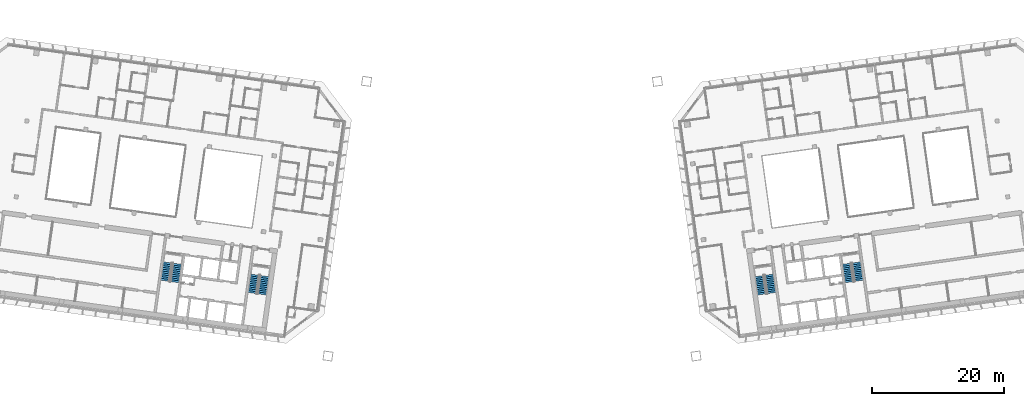
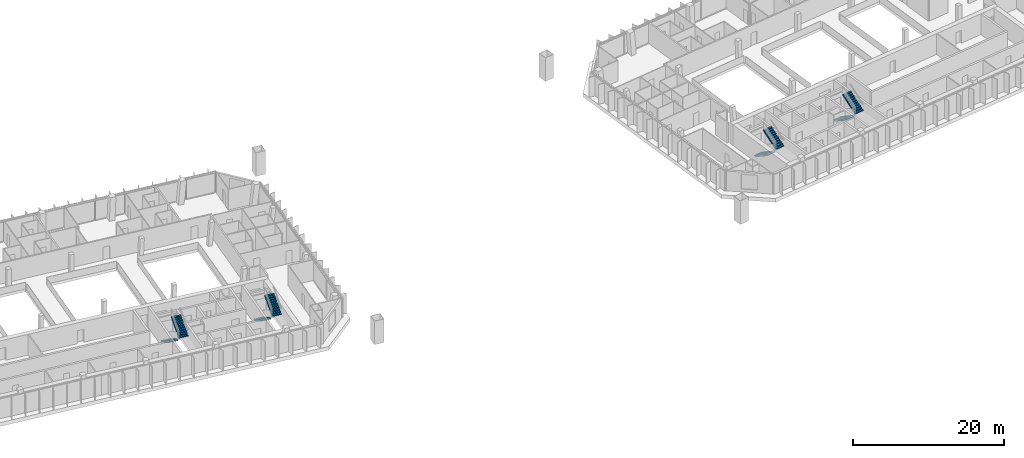
# One storey, part 21 of 23: 8 stair flights, 4 elements without a shape of their own.
"""IFC4 building model written with IfcOpenShell, lengths in metres."""

from ifc_helpers import new_model, si_unit, direction, frame, origin, place, context, subcontext, project, spatial, polyline, outline, extrude, material, type_object, element, aggregate, save


model = new_model("IFC4")

# Units and contexts
model_context = context("Model", 3, precision=1e-05, world=origin(), true_north=direction((0.0, 1.0)))
body_context = subcontext(model_context, "Body", "Model", "MODEL_VIEW")
ifc_project = project(units=[si_unit("LENGTHUNIT", "METRE"), si_unit("AREAUNIT", "SQUARE_METRE"), si_unit("VOLUMEUNIT", "CUBIC_METRE"), si_unit("PLANEANGLEUNIT", "RADIAN"), si_unit("MASSUNIT", "GRAM", prefix="KILO")], contexts=[model_context])

# Site, building, storey
site_placement = place(None, origin())
site = spatial("IfcSite", under=ifc_project, at=site_placement, CompositionType="ELEMENT")
building_placement = place(site_placement, origin())
building = spatial("IfcBuilding", under=site, at=building_placement, Name="Mirante Cascada Hotel Towers", CompositionType="ELEMENT")
storey_placement = place(building_placement, frame((0.0, 0.0, 199.2)))
storey = spatial("IfcBuildingStorey", under=building, at=storey_placement, Name="L47", CompositionType="ELEMENT", Elevation=199.2)

# Stair, stair flights
ifc_material_1 = material(Name="Concrete C35/45", Category="concrete")
stair_type = type_object("IfcStairType", Name="Exit stair half-turn 1350 concrete C35/45", PredefinedType="HALF_TURN_STAIR", material=ifc_material_1)
stair_1_placement = place(storey_placement, origin())
stair_1 = element("IfcStair", 1, at=stair_1_placement, inside=storey, type_object=stair_type, Name="L47 Exit stair A", PredefinedType="HALF_TURN_STAIR")
ifc_material_2 = material(Name="Concrete C35/45", Category="concrete")
stair_flight_type = type_object("IfcStairFlightType", Name="Exit stair flight 1350 concrete C35/45", PredefinedType="STRAIGHT", material=ifc_material_2)
stair_flight_1_placement = place(storey_placement, frame((-38.9417, -11.195, 0.0), z_axis=(0.0, 0.0, 1.0), x_axis=(-0.1391731, -0.9902681, 0.0)))
stair_flight_1 = element("IfcStairFlight", 2, at=stair_flight_1_placement, type_object=stair_flight_type, Name="ST1-A flight 1", NumberOfRisers=11, NumberOfTreads=10, PredefinedType="STRAIGHT", RiserHeight=0.172727273, TreadLength=0.28, context=body_context, shape_type="SweptSolid", body=[
    extrude(outline(polyline([(0.0, 0.0), (0.0, 0.1727), (0.28, 0.1727), (0.28, 0.3455), (0.56, 0.3455), (0.56, 0.5182), (0.84, 0.5182), (0.84, 0.6909), (1.12, 0.6909), (1.12, 0.8636), (1.4, 0.8636), (1.4, 1.0364), (1.68, 1.0364), (1.68, 1.2091), (1.96, 1.2091), (1.96, 1.3818), (2.24, 1.3818), (2.24, 1.5545), (2.52, 1.5545), (2.52, 1.7273), (2.8, 1.7273), (2.8, 1.9), (2.8, 1.551), (0.2857, 0.0), (0.0, 0.0)])), frame((0.0, 0.675, 0.0), z_axis=(0.0, -1.0, 0.0), x_axis=(1.0, 0.0, 0.0)), (0.0, 0.0, 1.0), 1.35),
])
stair_flight_2_placement = place(storey_placement, frame((-37.846, -14.1765, 1.9), z_axis=(0.0, 0.0, 1.0), x_axis=(0.1391731, 0.9902681, 0.0)))
stair_flight_2 = element("IfcStairFlight", 3, at=stair_flight_2_placement, type_object=stair_flight_type, Name="ST1-A flight 2", NumberOfRisers=11, NumberOfTreads=10, PredefinedType="STRAIGHT", RiserHeight=0.172727273, TreadLength=0.28, context=body_context, shape_type="SweptSolid", body=[
    extrude(outline(polyline([(0.0, 0.0), (0.0, 0.1727), (0.28, 0.1727), (0.28, 0.3455), (0.56, 0.3455), (0.56, 0.5182), (0.84, 0.5182), (0.84, 0.6909), (1.12, 0.6909), (1.12, 0.8636), (1.4, 0.8636), (1.4, 1.0364), (1.68, 1.0364), (1.68, 1.2091), (1.96, 1.2091), (1.96, 1.3818), (2.24, 1.3818), (2.24, 1.5545), (2.52, 1.5545), (2.52, 1.7273), (2.8, 1.7273), (2.8, 1.9), (2.8, 1.551), (0.2857, 0.0), (0.0, 0.0)])), frame((0.0, 0.675, 0.0), z_axis=(0.0, -1.0, 0.0), x_axis=(1.0, 0.0, 0.0)), (0.0, 0.0, 1.0), 1.35),
])
aggregate(stair_1, [stair_flight_1, stair_flight_2])

stair_2_placement = place(storey_placement, origin())
stair_2 = element("IfcStair", 4, at=stair_2_placement, inside=storey, type_object=stair_type, Name="L47 Exit stair B", PredefinedType="HALF_TURN_STAIR")
stair_flight_3_placement = place(storey_placement, frame((-52.1618, -9.3371, 0.0), z_axis=(0.0, 0.0, 1.0), x_axis=(-0.1391731, -0.9902681, 0.0)))
stair_flight_3 = element("IfcStairFlight", 5, at=stair_flight_3_placement, type_object=stair_flight_type, Name="ST1-B flight 1", NumberOfRisers=11, NumberOfTreads=10, PredefinedType="STRAIGHT", RiserHeight=0.172727273, TreadLength=0.28, context=body_context, shape_type="SweptSolid", body=[
    extrude(outline(polyline([(0.0, 0.0), (0.0, 0.1727), (0.28, 0.1727), (0.28, 0.3455), (0.56, 0.3455), (0.56, 0.5182), (0.84, 0.5182), (0.84, 0.6909), (1.12, 0.6909), (1.12, 0.8636), (1.4, 0.8636), (1.4, 1.0364), (1.68, 1.0364), (1.68, 1.2091), (1.96, 1.2091), (1.96, 1.3818), (2.24, 1.3818), (2.24, 1.5545), (2.52, 1.5545), (2.52, 1.7273), (2.8, 1.7273), (2.8, 1.9), (2.8, 1.551), (0.2857, 0.0), (0.0, 0.0)])), frame((0.0, 0.675, 0.0), z_axis=(0.0, -1.0, 0.0), x_axis=(1.0, 0.0, 0.0)), (0.0, 0.0, 1.0), 1.35),
])
stair_flight_4_placement = place(storey_placement, frame((-51.0661, -12.3186, 1.9), z_axis=(0.0, 0.0, 1.0), x_axis=(0.1391731, 0.9902681, 0.0)))
stair_flight_4 = element("IfcStairFlight", 6, at=stair_flight_4_placement, type_object=stair_flight_type, Name="ST1-B flight 2", NumberOfRisers=11, NumberOfTreads=10, PredefinedType="STRAIGHT", RiserHeight=0.172727273, TreadLength=0.28, context=body_context, shape_type="SweptSolid", body=[
    extrude(outline(polyline([(0.0, 0.0), (0.0, 0.1727), (0.28, 0.1727), (0.28, 0.3455), (0.56, 0.3455), (0.56, 0.5182), (0.84, 0.5182), (0.84, 0.6909), (1.12, 0.6909), (1.12, 0.8636), (1.4, 0.8636), (1.4, 1.0364), (1.68, 1.0364), (1.68, 1.2091), (1.96, 1.2091), (1.96, 1.3818), (2.24, 1.3818), (2.24, 1.5545), (2.52, 1.5545), (2.52, 1.7273), (2.8, 1.7273), (2.8, 1.9), (2.8, 1.551), (0.2857, 0.0), (0.0, 0.0)])), frame((0.0, 0.675, 0.0), z_axis=(0.0, -1.0, 0.0), x_axis=(1.0, 0.0, 0.0)), (0.0, 0.0, 1.0), 1.35),
])
aggregate(stair_2, [stair_flight_3, stair_flight_4])

stair_3_placement = place(storey_placement, origin())
stair_3 = element("IfcStair", 7, at=stair_3_placement, inside=storey, type_object=stair_type, Name="L47 Exit stair A", PredefinedType="HALF_TURN_STAIR")
stair_flight_5_placement = place(storey_placement, frame((37.4563, -11.4038, 0.0), z_axis=(0.0, 0.0, 1.0), x_axis=(0.1391731, -0.9902681, 0.0)))
stair_flight_5 = element("IfcStairFlight", 8, at=stair_flight_5_placement, type_object=stair_flight_type, Name="ST2-A flight 1", NumberOfRisers=11, NumberOfTreads=10, PredefinedType="STRAIGHT", RiserHeight=0.172727273, TreadLength=0.28, context=body_context, shape_type="SweptSolid", body=[
    extrude(outline(polyline([(0.0, 0.0), (0.0, 0.1727), (0.28, 0.1727), (0.28, 0.3455), (0.56, 0.3455), (0.56, 0.5182), (0.84, 0.5182), (0.84, 0.6909), (1.12, 0.6909), (1.12, 0.8636), (1.4, 0.8636), (1.4, 1.0364), (1.68, 1.0364), (1.68, 1.2091), (1.96, 1.2091), (1.96, 1.3818), (2.24, 1.3818), (2.24, 1.5545), (2.52, 1.5545), (2.52, 1.7273), (2.8, 1.7273), (2.8, 1.9), (2.8, 1.551), (0.2857, 0.0), (0.0, 0.0)])), frame((0.0, 0.675, 0.0), z_axis=(0.0, -1.0, 0.0), x_axis=(1.0, 0.0, 0.0)), (0.0, 0.0, 1.0), 1.35),
])
stair_flight_6_placement = place(storey_placement, frame((39.3314, -13.9678, 1.9), z_axis=(0.0, 0.0, 1.0), x_axis=(-0.1391731, 0.9902681, 0.0)))
stair_flight_6 = element("IfcStairFlight", 9, at=stair_flight_6_placement, type_object=stair_flight_type, Name="ST2-A flight 2", NumberOfRisers=11, NumberOfTreads=10, PredefinedType="STRAIGHT", RiserHeight=0.172727273, TreadLength=0.28, context=body_context, shape_type="SweptSolid", body=[
    extrude(outline(polyline([(0.0, 0.0), (0.0, 0.1727), (0.28, 0.1727), (0.28, 0.3455), (0.56, 0.3455), (0.56, 0.5182), (0.84, 0.5182), (0.84, 0.6909), (1.12, 0.6909), (1.12, 0.8636), (1.4, 0.8636), (1.4, 1.0364), (1.68, 1.0364), (1.68, 1.2091), (1.96, 1.2091), (1.96, 1.3818), (2.24, 1.3818), (2.24, 1.5545), (2.52, 1.5545), (2.52, 1.7273), (2.8, 1.7273), (2.8, 1.9), (2.8, 1.551), (0.2857, 0.0), (0.0, 0.0)])), frame((0.0, 0.675, 0.0), z_axis=(0.0, -1.0, 0.0), x_axis=(1.0, 0.0, 0.0)), (0.0, 0.0, 1.0), 1.35),
])
aggregate(stair_3, [stair_flight_5, stair_flight_6])

stair_4_placement = place(storey_placement, origin())
stair_4 = element("IfcStair", 10, at=stair_4_placement, inside=storey, type_object=stair_type, Name="L47 Exit stair B", PredefinedType="HALF_TURN_STAIR")
stair_flight_7_placement = place(storey_placement, frame((50.6764, -9.5458, 0.0), z_axis=(0.0, 0.0, 1.0), x_axis=(0.1391731, -0.9902681, 0.0)))
stair_flight_7 = element("IfcStairFlight", 11, at=stair_flight_7_placement, type_object=stair_flight_type, Name="ST2-B flight 1", NumberOfRisers=11, NumberOfTreads=10, PredefinedType="STRAIGHT", RiserHeight=0.172727273, TreadLength=0.28, context=body_context, shape_type="SweptSolid", body=[
    extrude(outline(polyline([(0.0, 0.0), (0.0, 0.1727), (0.28, 0.1727), (0.28, 0.3455), (0.56, 0.3455), (0.56, 0.5182), (0.84, 0.5182), (0.84, 0.6909), (1.12, 0.6909), (1.12, 0.8636), (1.4, 0.8636), (1.4, 1.0364), (1.68, 1.0364), (1.68, 1.2091), (1.96, 1.2091), (1.96, 1.3818), (2.24, 1.3818), (2.24, 1.5545), (2.52, 1.5545), (2.52, 1.7273), (2.8, 1.7273), (2.8, 1.9), (2.8, 1.551), (0.2857, 0.0), (0.0, 0.0)])), frame((0.0, 0.675, 0.0), z_axis=(0.0, -1.0, 0.0), x_axis=(1.0, 0.0, 0.0)), (0.0, 0.0, 1.0), 1.35),
])
stair_flight_8_placement = place(storey_placement, frame((52.5515, -12.1098, 1.9), z_axis=(0.0, 0.0, 1.0), x_axis=(-0.1391731, 0.9902681, 0.0)))
stair_flight_8 = element("IfcStairFlight", 12, at=stair_flight_8_placement, type_object=stair_flight_type, Name="ST2-B flight 2", NumberOfRisers=11, NumberOfTreads=10, PredefinedType="STRAIGHT", RiserHeight=0.172727273, TreadLength=0.28, context=body_context, shape_type="SweptSolid", body=[
    extrude(outline(polyline([(0.0, 0.0), (0.0, 0.1727), (0.28, 0.1727), (0.28, 0.3455), (0.56, 0.3455), (0.56, 0.5182), (0.84, 0.5182), (0.84, 0.6909), (1.12, 0.6909), (1.12, 0.8636), (1.4, 0.8636), (1.4, 1.0364), (1.68, 1.0364), (1.68, 1.2091), (1.96, 1.2091), (1.96, 1.3818), (2.24, 1.3818), (2.24, 1.5545), (2.52, 1.5545), (2.52, 1.7273), (2.8, 1.7273), (2.8, 1.9), (2.8, 1.551), (0.2857, 0.0), (0.0, 0.0)])), frame((0.0, 0.675, 0.0), z_axis=(0.0, -1.0, 0.0), x_axis=(1.0, 0.0, 0.0)), (0.0, 0.0, 1.0), 1.35),
])
aggregate(stair_4, [stair_flight_7, stair_flight_8])

save(model, "model.ifc")
